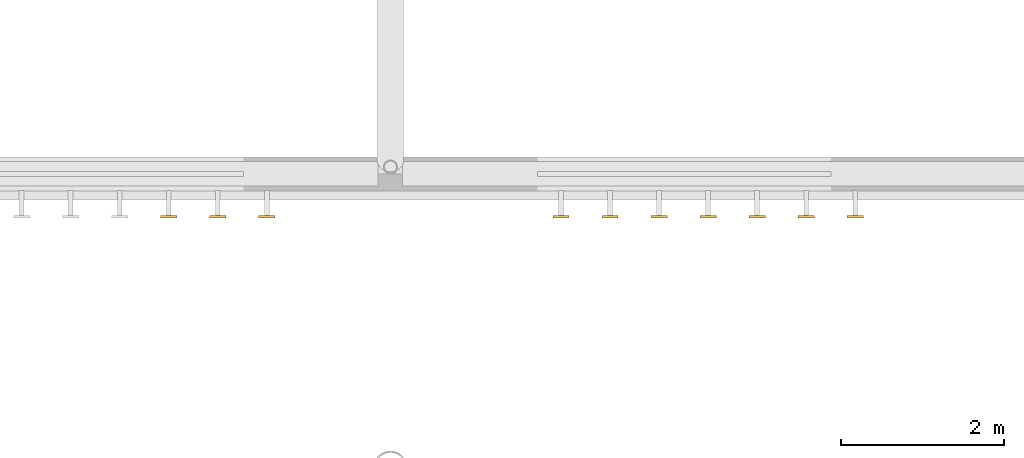
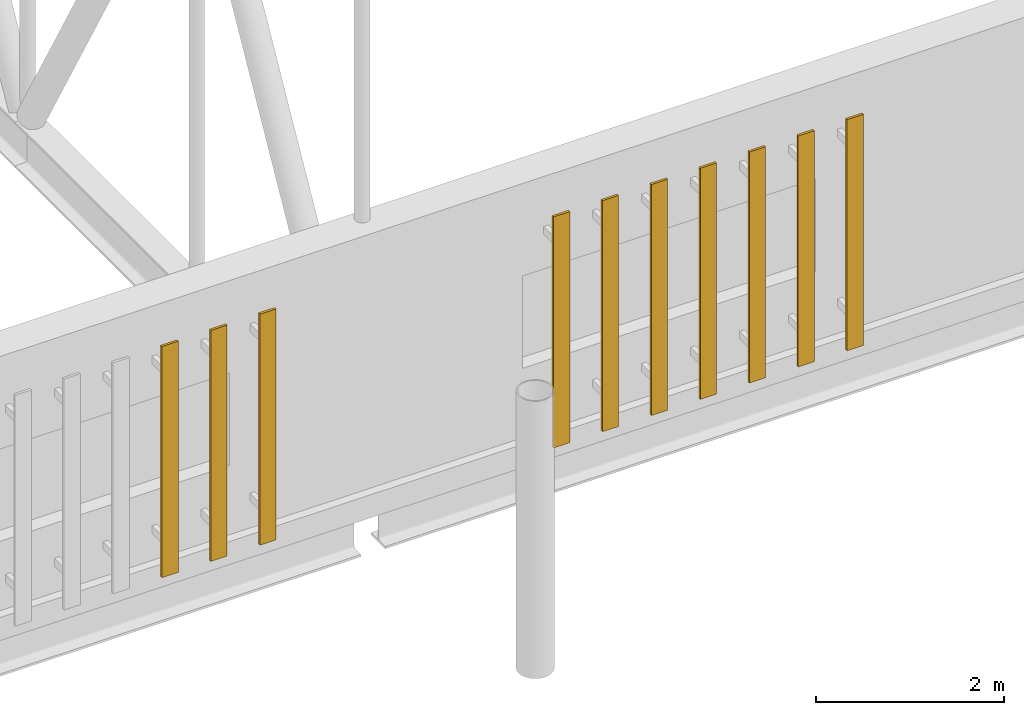
# One storey, part 131 of 142: 10 shading devices.
"""IFC4 building model written with IfcOpenShell, lengths in metres."""

from ifc_helpers import new_model, si_unit, direction, frame, origin, origin_2d, place, context, subcontext, project, spatial, rectangle, extrude, material, layer, layer_set, type_object, element, save


model = new_model("IFC4")

# Units and contexts
model_context = context("Model", 3, precision=1e-05, world=origin(), true_north=direction((0.0, 1.0)))
body_context = subcontext(model_context, "Body", "Model", "MODEL_VIEW")
ifc_project = project(units=[si_unit("LENGTHUNIT", "METRE"), si_unit("AREAUNIT", "SQUARE_METRE"), si_unit("VOLUMEUNIT", "CUBIC_METRE"), si_unit("PLANEANGLEUNIT", "RADIAN"), si_unit("MASSUNIT", "GRAM", prefix="KILO")], contexts=[model_context])

# Site, building, storey
site_placement = place(None, origin())
site = spatial("IfcSite", under=ifc_project, at=site_placement, CompositionType="ELEMENT")
building_placement = place(site_placement, origin())
building = spatial("IfcBuilding", under=site, at=building_placement, Name="Kupolbacken Congress Centre", CompositionType="ELEMENT")
storey_placement = place(building_placement, frame((0.0, 0.0, 14.39990234375)))
storey = spatial("IfcBuildingStorey", under=building, at=storey_placement, Name="L04", CompositionType="ELEMENT", Elevation=14.39990234375)

# Shading devices
ifc_material = material(Name="Aluminium alloy louvre", Category="aluminium")
ifc_layer = layer(ifc_material, 0.030029296875)
ifc_layer_set = layer_set([ifc_layer], Name="Aluminium alloy louvre")
shading_device_type = type_object("IfcShadingDeviceType", Name="SC1 louvre blade 30 x 200", PredefinedType="JALOUSIE", material=ifc_layer_set)
for number, where, z_axis, x_axis, name in (
    (1, (134.08251953125, 42.675048828125, 0.300048828125), (0.0, 0.0, 1.0), (1.0, 0.0, 0.0), "E/brise/S/L04/439/B79"),
    (2, (134.68359375, 42.675048828125, 0.300048828125), (0.0, 0.0, 1.0), (1.0, 0.0, 0.0), "E/brise/S/L04/439/B80"),
    (3, (135.28466796875, 42.675048828125, 0.300048828125), (0.0, 0.0, 1.0), (1.0, 0.0, 0.0), "E/brise/S/L04/439/B81"),
    (4, (138.89111328125, 42.675048828125, 0.300048828125), (0.0, 0.0, 1.0), (1.0, 0.0, 0.0), "E/brise/S/L04/439/B87"),
    (5, (139.4921875, 42.675048828125, 0.300048828125), (0.0, 0.0, 1.0), (1.0, 0.0, 0.0), "E/brise/S/L04/439/B88"),
    (6, (140.09326171875, 42.675048828125, 0.300048828125), (0.0, 0.0, 1.0), (1.0, 0.0, 0.0), "E/brise/S/L04/439/B89"),
    (7, (140.694091796875, 42.675048828125, 0.300048828125), (0.0, 0.0, 1.0), (1.0, 0.0, 0.0), "E/brise/S/L04/439/B90"),
    (8, (141.295166015625, 42.675048828125, 0.300048828125), (0.0, 0.0, 1.0), (1.0, 0.0, 0.0), "E/brise/S/L04/439/B91"),
    (9, (141.896240234375, 42.675048828125, 0.300048828125), (0.0, 0.0, 1.0), (1.0, 0.0, 0.0), "E/brise/S/L04/439/B92"),
    (10, (142.497314453125, 42.675048828125, 0.300048828125), (0.0, 0.0, 1.0), (1.0, 0.0, 0.0), "E/brise/S/L04/439/B93"),
):
    element("IfcShadingDevice", number, at=place(storey_placement, frame(where, z_axis=z_axis, x_axis=x_axis)), inside=storey, type_object=shading_device_type, Name=name, PredefinedType="JALOUSIE", context=body_context, shape_type="SweptSolid", body=[
        extrude(rectangle(XDim=0.199951171875, YDim=0.030029296875, at=origin_2d()), origin(), (0.0, 0.0, 1.0), 3.0),
    ])

save(model, "model.ifc")
